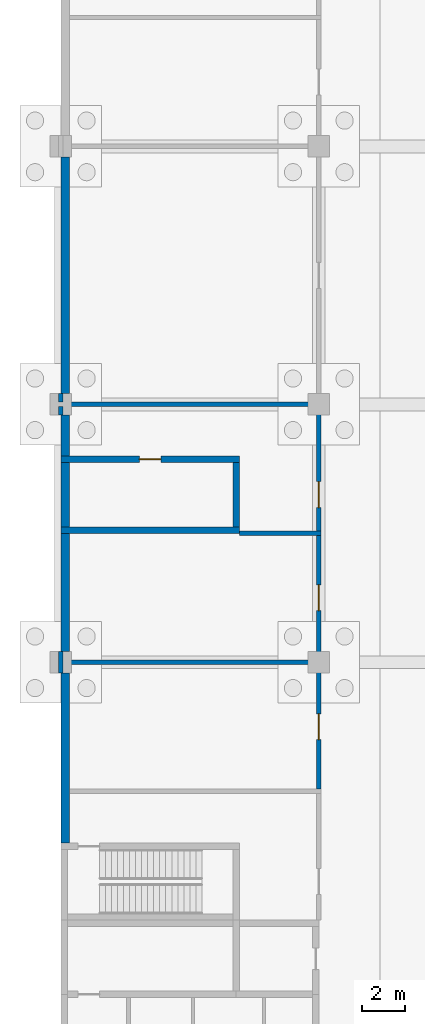
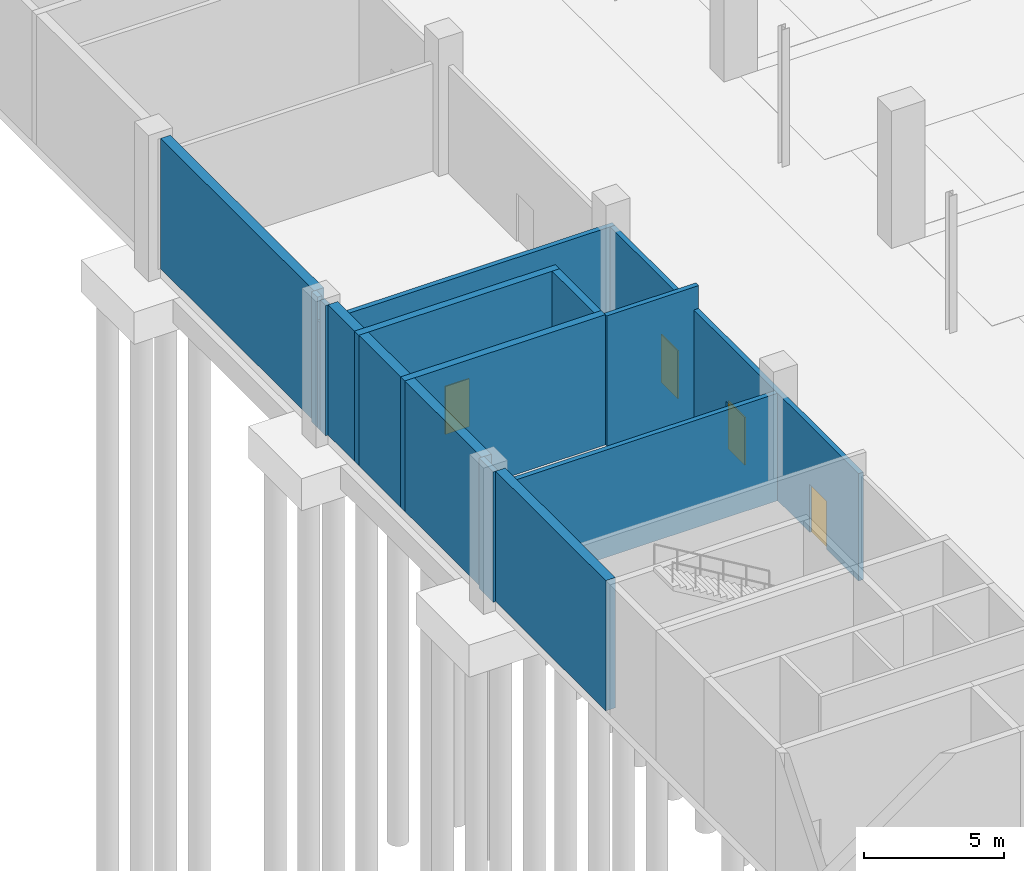
# One storey, part 20 of 34: 16 walls, 4 doors, 4 openings.
"""IFC4 building model written with IfcOpenShell, lengths in metres."""

import ifcopenshell
import ifcopenshell.guid

model = None  # the IFC model being written
_history = None  # IfcOwnerHistory: only IFC2X3 demands one
_inside = {}  # id of a spatial element -> (the spatial element, [elements in it])
_under = {}  # id of a project, library or spatial element -> (it, [spatial elements below it])
_declared = {}  # id of a project -> (the project, [libraries it declares])
_typed = {}  # id of a type object -> (the type object, [elements of that type])
_made_of = {}  # id of a material, layer set ... -> (it, [elements and type objects made of it])


def new_model(schema):
    """Start an empty IFC model of exactly this schema.

    Asked for "IFC4X3", IfcOpenShell would pick the latest addendum, in which some entities
    have other attributes; the version numbers below select the first issue.
    IFC2X3 requires an IfcOwnerHistory on every rooted entity: one is made here for all.
    """
    global model, _history
    if schema == "IFC4X3":
        model = ifcopenshell.file(schema_version=(4, 3, 0, 0))
    else:
        model = ifcopenshell.file(schema=schema)
    _inside.clear()
    _under.clear()
    _declared.clear()
    _typed.clear()
    _made_of.clear()
    _history = None
    if model.schema == "IFC2X3":
        org = make("IfcOrganization", Name="unknown")
        user = make(
            "IfcPersonAndOrganization",
            ThePerson=make("IfcPerson", FamilyName="unknown"),
            TheOrganization=org,
        )
        app = make(
            "IfcApplication",
            ApplicationDeveloper=org,
            Version="unknown",
            ApplicationFullName="unknown",
            ApplicationIdentifier="unknown",
        )
        _history = make(
            "IfcOwnerHistory",
            OwningUser=user,
            OwningApplication=app,
            ChangeAction="ADDED",
            CreationDate=0,
        )
    return model


def make(cls, **values):
    """One entity of the class cls with the attributes given. An attribute that is None is left unset."""
    return model.create_entity(
        cls, **{name: value for name, value in values.items() if value is not None}
    )


def rooted(cls, **values):
    """An entity with a GlobalId (a new one), such as an element, a storey or a relation."""
    return make(cls, GlobalId=ifcopenshell.guid.new(), OwnerHistory=_history, **values)


def si_unit(unit_type, name, prefix=None):
    """IfcSIUnit, for example si_unit("LENGTHUNIT", "METRE", prefix="MILLI")."""
    return make("IfcSIUnit", UnitType=unit_type, Prefix=prefix, Name=name)


def assignment(units):
    """IfcUnitAssignment: the units of a project."""
    return None if units is None else make("IfcUnitAssignment", Units=units)


def point(xyz):
    """IfcCartesianPoint."""
    return None if xyz is None else make("IfcCartesianPoint", Coordinates=xyz)


def direction(xyz):
    """IfcDirection."""
    return None if xyz is None else make("IfcDirection", DirectionRatios=xyz)


def frame(location, z_axis=None, x_axis=None):
    """IfcAxis2Placement3D, a coordinate frame: its origin and axes. An axis left out is left unset."""
    return make(
        "IfcAxis2Placement3D",
        Location=point(location),
        Axis=direction(z_axis),
        RefDirection=direction(x_axis),
    )


def frame_2d(location, x_axis=None):
    """IfcAxis2Placement2D, a coordinate frame in the plane: its origin and x axis."""
    return make(
        "IfcAxis2Placement2D", Location=point(location), RefDirection=direction(x_axis)
    )


def origin():
    """The frame at (0, 0, 0) with its axes left unset."""
    return frame((0.0, 0.0, 0.0))


def place(relative_to, where):
    """IfcLocalPlacement: puts the frame where relative to a parent placement (None: the world)."""
    return make(
        "IfcLocalPlacement", PlacementRelTo=relative_to, RelativePlacement=where
    )


def context(
    kind, dimensions, precision=None, world=None, true_north=None, identifier=None
):
    """IfcGeometricRepresentationContext, for example the 3D "Model" context."""
    return make(
        "IfcGeometricRepresentationContext",
        ContextIdentifier=identifier,
        ContextType=kind,
        CoordinateSpaceDimension=dimensions,
        Precision=precision,
        WorldCoordinateSystem=world,
        TrueNorth=true_north,
    )


def subcontext(parent, identifier, kind, view, scale=None):
    """IfcGeometricRepresentationSubContext, for example "Body" below "Model"."""
    return make(
        "IfcGeometricRepresentationSubContext",
        ContextIdentifier=identifier,
        ContextType=kind,
        ParentContext=parent,
        TargetScale=scale,
        TargetView=view,
    )


def project(units=None, contexts=None):
    """IfcProject with its units and contexts."""
    return rooted(
        "IfcProject",
        Name="project",
        RepresentationContexts=contexts,
        UnitsInContext=assignment(units),
    )


def spatial(cls, under=None, at=None, **own):
    """A site, building, storey or space (cls), placed at a placement, below another one or the project."""
    s = rooted(cls, ObjectPlacement=at, **own)
    if under is not None:
        _under.setdefault(under.id(), (under, []))[1].append(s)
    return s


def profile(cls, at=None, kind="AREA", **sizes):
    """A parametric profile (cls). Its sizes go by their IFC names, for example OverallWidth=200.0."""
    return make(cls, ProfileType=kind, Position=at, **sizes)


def rectangle(**sizes):
    """IfcRectangleProfileDef."""
    return profile("IfcRectangleProfileDef", **sizes)


def extrude(swept, where, along, depth):
    """IfcExtrudedAreaSolid: the profile swept, set in the frame where, extruded along a direction by depth."""
    return make(
        "IfcExtrudedAreaSolid",
        SweptArea=swept,
        Position=where,
        ExtrudedDirection=direction(along),
        Depth=depth,
    )


def shape(context_of_items, identifier, shape_type, items):
    """IfcShapeRepresentation: the items that make up one representation, for example the "Body"."""
    return make(
        "IfcShapeRepresentation",
        ContextOfItems=context_of_items,
        RepresentationIdentifier=identifier,
        RepresentationType=shape_type,
        Items=items,
    )


def material(Name=None, Category=None):
    """IfcMaterial."""
    return make("IfcMaterial", Name=Name, Category=Category)


def layer(
    of_material, thickness, ventilated=None, Name=None, Category=None, Priority=None
):
    """IfcMaterialLayer: one layer of a wall or slab, of a material (None: an air gap)."""
    return make(
        "IfcMaterialLayer",
        Material=of_material,
        LayerThickness=thickness,
        IsVentilated=ventilated,
        Name=Name,
        Category=Category,
        Priority=Priority,
    )


def layer_set(layers, Name=None):
    """IfcMaterialLayerSet."""
    return make("IfcMaterialLayerSet", MaterialLayers=layers, LayerSetName=Name)


def made_of(thing, what):
    """Note that an element or type object is made of a material, layer set ...; save() writes the relation."""
    if what is not None:
        _made_of.setdefault(what.id(), (what, []))[1].append(thing)
    return thing


def type_object(cls, material=None, **own):
    """A type object (cls), such as IfcWallType, which elements share."""
    return made_of(rooted(cls, **own), material)


def element(
    cls,
    number,
    at=None,
    inside=None,
    cuts=None,
    type_object=None,
    material=None,
    context=None,
    identifier="Body",
    shape_type=None,
    held_by="IfcProductDefinitionShape",
    body=None,
    shapes=None,
    **own,
):
    """One element of the class cls, such as IfcWall. Its Tag is "e" and its number.

    at: its placement. inside: the storey or other place that contains it. cuts: it is an
    opening in that element (IfcRelVoidsElement). A single representation is given by context,
    identifier, shape_type and body (its items); several are given by shapes. held_by: the class
    of the entity that holds the representations. save() writes the other relations.
    """
    e = rooted(cls, Tag="e%d" % number, ObjectPlacement=at, **own)
    if body is not None:
        shapes = [shape(context, identifier, shape_type, body)]
    if shapes is not None:
        e.Representation = make(held_by, Representations=shapes)
    if inside is not None:
        _inside.setdefault(inside.id(), (inside, []))[1].append(e)
    if cuts is not None:
        rooted(
            "IfcRelVoidsElement", RelatingBuildingElement=cuts, RelatedOpeningElement=e
        )
    if type_object is not None:
        _typed.setdefault(type_object.id(), (type_object, []))[1].append(e)
    return made_of(e, material)


def fill(opening, filler):
    """IfcRelFillsElement: the door or window that sits in an opening."""
    return rooted(
        "IfcRelFillsElement",
        RelatingOpeningElement=opening,
        RelatedBuildingElement=filler,
    )


def aggregate(whole, parts):
    """IfcRelAggregates: a whole, such as a stair, and the parts it consists of."""
    return rooted("IfcRelAggregates", RelatingObject=whole, RelatedObjects=parts)


def save(model, path):
    """Write the relations noted so far, then the file.

    IfcRelAggregates (storeys below a building ...), IfcRelContainedInSpatialStructure (elements
    in a storey), IfcRelDefinesByType, IfcRelAssociatesMaterial and IfcRelDeclares: one each for
    every whole, place, type object, material and project.
    """
    for whole, parts in _under.values():
        aggregate(whole, parts)
    for where, things in _inside.values():
        rooted(
            "IfcRelContainedInSpatialStructure",
            RelatedElements=things,
            RelatingStructure=where,
        )
    for kind, things in _typed.values():
        rooted("IfcRelDefinesByType", RelatedObjects=things, RelatingType=kind)
    for what, things in _made_of.values():
        rooted("IfcRelAssociatesMaterial", RelatedObjects=things, RelatingMaterial=what)
    for by, libraries in _declared.values():
        rooted("IfcRelDeclares", RelatingContext=by, RelatedDefinitions=libraries)
    model.write(path)


model = new_model("IFC4")

# Units and contexts
model_context = context("Model", 3, precision=1e-05, world=origin(), true_north=direction((0.0, 1.0)))
body_context = subcontext(model_context, "Body", "Model", "MODEL_VIEW")
ifc_project = project(units=[si_unit("LENGTHUNIT", "METRE"), si_unit("AREAUNIT", "SQUARE_METRE"), si_unit("VOLUMEUNIT", "CUBIC_METRE"), si_unit("PLANEANGLEUNIT", "RADIAN"), si_unit("MASSUNIT", "GRAM", prefix="KILO")], contexts=[model_context])

# Site, building, storey
site_placement = place(None, origin())
site = spatial("IfcSite", under=ifc_project, at=site_placement, CompositionType="ELEMENT")
building_placement = place(site_placement, origin())
building = spatial("IfcBuilding", under=site, at=building_placement, Name="Lilac Gate Convention Centre", CompositionType="ELEMENT")
storey_placement = place(building_placement, frame((0.0, 0.0, -6.0)))
storey = spatial("IfcBuildingStorey", under=building, at=storey_placement, Name="B1", CompositionType="ELEMENT", Elevation=-6.0)

# Walls
ifc_material_1 = material(Name="Concrete C35", Category="concrete")
ifc_layer_1 = layer(ifc_material_1, 0.39990234375)
ifc_layer_set_1 = layer_set([ifc_layer_1], Name="Concrete C35")
wall_type_1 = type_object("IfcWallType", Name="Basement wall 400 C35", PredefinedType="SOLIDWALL", material=ifc_layer_set_1)
wall_1_placement = place(storey_placement, frame((6.199951171875, 165.60009765625, 0.0), z_axis=(0.0, 0.0, 1.0), x_axis=(0.0, 1.0, 0.0)))
element("IfcWall", 1, at=wall_1_placement, inside=storey, type_object=wall_type_1, Name="SW2 basement wall 12 at 1/A", PredefinedType="SOLIDWALL", context=body_context, shape_type="SweptSolid", body=[
    extrude(rectangle(XDim=7.89990234375, YDim=0.39990234375, at=frame_2d((3.949951171875, 0.0))), origin(), (0.0, 0.0, 1.0), 5.699951171875),
])
wall_2_placement = place(storey_placement, frame((6.199951171875, 174.5, 0.0), z_axis=(0.0, 0.0, 1.0), x_axis=(0.0, 1.0, 0.0)))
element("IfcWall", 2, at=wall_2_placement, inside=storey, type_object=wall_type_1, Name="SW2 basement wall 13 at 1/A", PredefinedType="SOLIDWALL", context=body_context, shape_type="SweptSolid", body=[
    extrude(rectangle(XDim=5.5, YDim=0.39990234375, at=frame_2d((2.75, 0.0))), origin(), (0.0, 0.0, 1.0), 5.699951171875),
])
wall_3_placement = place(storey_placement, frame((6.199951171875, 180.300048828125, 0.0), z_axis=(0.0, 0.0, 1.0), x_axis=(0.0, 1.0, 0.0)))
element("IfcWall", 3, at=wall_3_placement, inside=storey, type_object=wall_type_1, Name="SW2 basement wall 14 at 1/A", PredefinedType="SOLIDWALL", context=body_context, shape_type="SweptSolid", body=[
    extrude(rectangle(XDim=3.0, YDim=0.39990234375, at=frame_2d((1.5, 0.0))), origin(), (0.0, 0.0, 1.0), 5.699951171875),
])
wall_4_placement = place(storey_placement, frame((6.199951171875, 183.60009765625, 0.0), z_axis=(0.0, 0.0, 1.0), x_axis=(0.0, 1.0, 0.0)))
element("IfcWall", 4, at=wall_4_placement, inside=storey, type_object=wall_type_1, Name="SW2 basement wall 15 at 1/A", PredefinedType="SOLIDWALL", context=body_context, shape_type="SweptSolid", body=[
    extrude(rectangle(XDim=1.89990234375, YDim=0.39990234375, at=frame_2d((0.949951171875, 0.0))), origin(), (0.0, 0.0, 1.0), 5.699951171875),
])
wall_5_placement = place(storey_placement, frame((6.199951171875, 186.5, 0.0), z_axis=(0.0, 0.0, 1.0), x_axis=(0.0, 1.0, 0.0)))
element("IfcWall", 5, at=wall_5_placement, inside=storey, type_object=wall_type_1, Name="SW2 basement wall 16 at 1/A", PredefinedType="SOLIDWALL", context=body_context, shape_type="SweptSolid", body=[
    extrude(rectangle(XDim=11.0, YDim=0.39990234375, at=frame_2d((5.5, 0.0))), origin(), (0.0, 0.0, 1.0), 5.699951171875),
])
ifc_material_2 = material(Name="Clay brick masonry", Category="masonry")
ifc_layer_2 = layer(ifc_material_2, 0.199951171875)
ifc_layer_set_2 = layer_set([ifc_layer_2], Name="Clay brick masonry")
wall_type_2 = type_object("IfcWallType", Name="Partition 200 brick EI 120", PredefinedType="PARTITIONING", material=ifc_layer_set_2)
wall_6_placement = place(storey_placement, frame((6.10009765625, 174.0, 0.0), z_axis=(0.0, 0.0, 1.0), x_axis=(1.0, 0.0, 0.0)))
element("IfcWall", 6, at=wall_6_placement, inside=storey, type_object=wall_type_2, Name="Partition 200 brick EI 120", PredefinedType="PARTITIONING", context=body_context, shape_type="SweptSolid", body=[
    extrude(rectangle(XDim=11.7998046875, YDim=0.199951171875, at=frame_2d((5.89990234375, 0.0))), origin(), (0.0, 0.0, 1.0), 4.699951171875),
])
wall_7_placement = place(storey_placement, frame((14.300048828125, 180.0, 0.0), z_axis=(0.0, 0.0, 1.0), x_axis=(1.0, 0.0, 0.0)))
element("IfcWall", 7, at=wall_7_placement, inside=storey, type_object=wall_type_2, Name="Partition 200 brick EI 120", PredefinedType="PARTITIONING", context=body_context, shape_type="SweptSolid", body=[
    extrude(rectangle(XDim=3.800048828125, YDim=0.199951171875, at=frame_2d((1.89990234375, 0.0))), origin(), (0.0, 0.0, 1.0), 5.699951171875),
])
wall_8_placement = place(storey_placement, frame((5.89990234375, 186.0, 0.0), z_axis=(0.0, 0.0, 1.0), x_axis=(1.0, 0.0, 0.0)))
element("IfcWall", 8, at=wall_8_placement, inside=storey, type_object=wall_type_2, Name="Partition 200 brick EI 120", PredefinedType="PARTITIONING", context=body_context, shape_type="SweptSolid", body=[
    extrude(rectangle(XDim=12.2001953125, YDim=0.199951171875, at=frame_2d((6.10009765625, 0.0))), origin(), (0.0, 0.0, 1.0), 4.699951171875),
])
wall_9_placement = place(storey_placement, frame((6.0, 173.5, 0.0), z_axis=(0.0, 0.0, 1.0), x_axis=(0.0, 1.0, 0.0)))
element("IfcWall", 9, at=wall_9_placement, inside=storey, type_object=wall_type_2, Name="Partition 200 brick EI 120", PredefinedType="PARTITIONING", context=body_context, shape_type="SweptSolid", body=[
    extrude(rectangle(XDim=1.0, YDim=0.199951171875, at=frame_2d((0.5, 0.0))), origin(), (0.0, 0.0, 1.0), 5.699951171875),
])
wall_10_placement = place(storey_placement, frame((6.0, 186.10009765625, 0.0), z_axis=(0.0, 0.0, 1.0), x_axis=(0.0, 1.0, 0.0)))
element("IfcWall", 10, at=wall_10_placement, inside=storey, type_object=wall_type_2, Name="Partition 200 brick EI 120", PredefinedType="PARTITIONING", context=body_context, shape_type="SweptSolid", body=[
    extrude(rectangle(XDim=0.39990234375, YDim=0.199951171875, at=frame_2d((0.199951171875, 0.0))), origin(), (0.0, 0.0, 1.0), 5.699951171875),
])

# Wall, openings, doors
wall_11_placement = place(storey_placement, frame((18.0, 168.10009765625, 0.0), z_axis=(0.0, 0.0, 1.0), x_axis=(0.0, 1.0, 0.0)))
wall_11 = element("IfcWall", 11, at=wall_11_placement, inside=storey, type_object=wall_type_2, Name="Partition 200 brick EI 120", PredefinedType="PARTITIONING", context=body_context, shape_type="SweptSolid", body=[
    extrude(rectangle(XDim=11.7998046875, YDim=0.199951171875, at=frame_2d((5.89990234375, 0.0))), origin(), (0.0, 0.0, 1.0), 4.699951171875),
])
opening_1_placement = place(wall_11_placement, frame((2.300048828125, 0.0, 0.0)))
opening_1 = element("IfcOpeningElement", 12, at=opening_1_placement, cuts=wall_11, Name="Opening B1-059", PredefinedType="OPENING", context=body_context, shape_type="SweptSolid", body=[
    extrude(rectangle(XDim=1.199951171875, YDim=2.10009765625, at=frame_2d((0.60009765625, 1.050048828125))), frame((0.0, 0.10986328125, 0.0), z_axis=(0.0, -1.0, 0.0), x_axis=(1.0, 0.0, 0.0)), (0.0, 0.0, 1.0), 0.219970703125),
])
opening_2_placement = place(wall_11_placement, frame((8.300048828125, 0.0, 0.0)))
opening_2 = element("IfcOpeningElement", 13, at=opening_2_placement, cuts=wall_11, Name="Opening B1-060", PredefinedType="OPENING", context=body_context, shape_type="SweptSolid", body=[
    extrude(rectangle(XDim=1.199951171875, YDim=2.10009765625, at=frame_2d((0.60009765625, 1.050048828125))), frame((0.0, 0.10986328125, 0.0), z_axis=(0.0, -1.0, 0.0), x_axis=(1.0, 0.0, 0.0)), (0.0, 0.0, 1.0), 0.219970703125),
])
ifc_material_3 = material(Name="Timber fire door leaf", Category="wood")
door_type_1 = type_object("IfcDoorType", Name="Door 1200 x 2100 single leaf FD30", OperationType="SINGLE_SWING_LEFT", PredefinedType="DOOR", material=ifc_material_3)
door_1_placement = place(opening_2_placement, origin())
door_1 = element("IfcDoor", 14, at=door_1_placement, inside=storey, type_object=door_type_1, Name="Plant room door B1-060", OperationType="SINGLE_SWING_LEFT", OverallHeight=2.10009765625, OverallWidth=1.199951171875, PredefinedType="DOOR", context=body_context, shape_type="SweptSolid", body=[
    extrude(rectangle(XDim=1.199951171875, YDim=2.10009765625, at=frame_2d((0.60009765625, 1.050048828125))), frame((0.0, 0.02490234375, 0.0), z_axis=(0.0, -1.0, 0.0), x_axis=(1.0, 0.0, 0.0)), (0.0, 0.0, 1.0), 0.050048828125),
])
fill(opening_2, door_1)
ifc_material_4 = material(Name="Steel Q235B", Category="steel")
door_type_2 = type_object("IfcDoorType", Name="Door 1200 x 2100 single leaf FD90", OperationType="SINGLE_SWING_LEFT", PredefinedType="DOOR", material=ifc_material_4)
door_2_placement = place(opening_1_placement, origin())
door_2 = element("IfcDoor", 15, at=door_2_placement, inside=storey, type_object=door_type_2, Name="Plant room door B1-059", OperationType="SINGLE_SWING_LEFT", OverallHeight=2.10009765625, OverallWidth=1.199951171875, PredefinedType="DOOR", context=body_context, shape_type="SweptSolid", body=[
    extrude(rectangle(XDim=1.199951171875, YDim=2.10009765625, at=frame_2d((0.60009765625, 1.050048828125))), frame((0.0, 0.02490234375, 0.0), z_axis=(0.0, -1.0, 0.0), x_axis=(1.0, 0.0, 0.0)), (0.0, 0.0, 1.0), 0.050048828125),
])
fill(opening_1, door_2)

# Wall
ifc_layer_3 = layer(ifc_material_2, 0.199951171875)
ifc_layer_set_3 = layer_set([ifc_layer_3], Name="Clay brick masonry")
wall_type_3 = type_object("IfcWallType", Name="Partition 200 brick EI 60", PredefinedType="PARTITIONING", material=ifc_layer_set_3)
wall_12_placement = place(storey_placement, frame((6.0, 185.5, 0.0), z_axis=(0.0, 0.0, 1.0), x_axis=(0.0, 1.0, 0.0)))
element("IfcWall", 16, at=wall_12_placement, inside=storey, type_object=wall_type_3, Name="Partition 200 brick EI 60", PredefinedType="PARTITIONING", context=body_context, shape_type="SweptSolid", body=[
    extrude(rectangle(XDim=0.39990234375, YDim=0.199951171875, at=frame_2d((0.199951171875, 0.0))), origin(), (0.0, 0.0, 1.0), 5.699951171875),
])

# Wall, opening, door
wall_13_placement = place(storey_placement, frame((18.0, 180.10009765625, 0.0), z_axis=(0.0, 0.0, 1.0), x_axis=(0.0, 1.0, 0.0)))
wall_13 = element("IfcWall", 17, at=wall_13_placement, inside=storey, type_object=wall_type_3, Name="Partition 200 brick EI 60", PredefinedType="PARTITIONING", context=body_context, shape_type="SweptSolid", body=[
    extrude(rectangle(XDim=5.7998046875, YDim=0.199951171875, at=frame_2d((2.89990234375, 0.0))), origin(), (0.0, 0.0, 1.0), 4.699951171875),
])
opening_3_placement = place(wall_13_placement, frame((1.10009765625, 0.0, 0.0)))
opening_3 = element("IfcOpeningElement", 18, at=opening_3_placement, cuts=wall_13, Name="Opening B1-062", PredefinedType="OPENING", context=body_context, shape_type="SweptSolid", body=[
    extrude(rectangle(XDim=1.199951171875, YDim=2.10009765625, at=frame_2d((0.60009765625, 1.050048828125))), frame((0.0, 0.10986328125, 0.0), z_axis=(0.0, -1.0, 0.0), x_axis=(1.0, 0.0, 0.0)), (0.0, 0.0, 1.0), 0.219970703125),
])
door_3_placement = place(opening_3_placement, origin())
door_3 = element("IfcDoor", 19, at=door_3_placement, inside=storey, type_object=door_type_2, Name="Lobby door B1-062", OperationType="SINGLE_SWING_RIGHT", OverallHeight=2.10009765625, OverallWidth=1.199951171875, PredefinedType="DOOR", context=body_context, shape_type="SweptSolid", body=[
    extrude(rectangle(XDim=1.199951171875, YDim=2.10009765625, at=frame_2d((0.60009765625, 1.050048828125))), frame((0.0, 0.02490234375, 0.0), z_axis=(0.0, -1.0, 0.0), x_axis=(1.0, 0.0, 0.0)), (0.0, 0.0, 1.0), 0.050048828125),
])
fill(opening_3, door_3)

# Wall
ifc_material_5 = material(Name="Concrete C40", Category="concrete")
ifc_layer_4 = layer(ifc_material_5, 0.300048828125)
ifc_layer_set_4 = layer_set([ifc_layer_4], Name="Concrete C40")
wall_type_4 = type_object("IfcWallType", Name="Shear wall 300 C40", PredefinedType="SHEAR", material=ifc_layer_set_4)
wall_14_placement = place(storey_placement, frame((6.0, 180.14990234375, 0.0), z_axis=(0.0, 0.0, 1.0), x_axis=(1.0, 0.0, 0.0)))
element("IfcWall", 20, at=wall_14_placement, inside=storey, type_object=wall_type_4, Name="SW1 shear wall UW2 B1 1", PredefinedType="SHEAR", context=body_context, shape_type="SweptSolid", body=[
    extrude(rectangle(XDim=8.300048828125, YDim=0.300048828125, at=frame_2d((4.14990234375, 0.0))), origin(), (0.0, 0.0, 1.0), 5.699951171875),
])

# Wall, opening, door
wall_15_placement = place(storey_placement, frame((6.0, 183.449951171875, 0.0), z_axis=(0.0, 0.0, 1.0), x_axis=(1.0, 0.0, 0.0)))
wall_15 = element("IfcWall", 21, at=wall_15_placement, inside=storey, type_object=wall_type_4, Name="SW1 shear wall UW2 B1 2", PredefinedType="SHEAR", context=body_context, shape_type="SweptSolid", body=[
    extrude(rectangle(XDim=8.300048828125, YDim=0.300048828125, at=frame_2d((4.14990234375, 0.0))), origin(), (0.0, 0.0, 1.0), 5.699951171875),
])
opening_4_placement = place(wall_15_placement, frame((3.64990234375, 0.0, 0.0)))
opening_4 = element("IfcOpeningElement", 22, at=opening_4_placement, cuts=wall_15, Name="Opening B1-063", PredefinedType="OPENING", context=body_context, shape_type="SweptSolid", body=[
    extrude(rectangle(XDim=1.0, YDim=2.10009765625, at=frame_2d((0.5, 1.050048828125))), frame((0.0, 0.159912109375, 0.0), z_axis=(0.0, -1.0, 0.0), x_axis=(1.0, 0.0, 0.0)), (0.0, 0.0, 1.0), 0.320068359375),
])
door_type_3 = type_object("IfcDoorType", Name="Door 1000 x 2100 single leaf FD90", OperationType="SINGLE_SWING_LEFT", PredefinedType="DOOR", material=ifc_material_4)
door_4_placement = place(opening_4_placement, frame((1.0, 0.0, 0.0), z_axis=(0.0, 0.0, 1.0), x_axis=(-1.0, 0.0, 0.0)))
door_4 = element("IfcDoor", 23, at=door_4_placement, inside=storey, type_object=door_type_3, Name="Store door B1-063", OperationType="SINGLE_SWING_RIGHT", OverallHeight=2.10009765625, OverallWidth=1.0, PredefinedType="DOOR", context=body_context, shape_type="SweptSolid", body=[
    extrude(rectangle(XDim=1.0, YDim=2.10009765625, at=frame_2d((0.5, 1.050048828125))), frame((0.0, 0.02490234375, 0.0), z_axis=(0.0, -1.0, 0.0), x_axis=(1.0, 0.0, 0.0)), (0.0, 0.0, 1.0), 0.050048828125),
])
fill(opening_4, door_4)

# Wall
wall_16_placement = place(storey_placement, frame((14.14990234375, 180.300048828125, 0.0), z_axis=(0.0, 0.0, 1.0), x_axis=(0.0, 1.0, 0.0)))
element("IfcWall", 24, at=wall_16_placement, inside=storey, type_object=wall_type_4, Name="SW1 shear wall UW2 B1 3", PredefinedType="SHEAR", context=body_context, shape_type="SweptSolid", body=[
    extrude(rectangle(XDim=3.0, YDim=0.300048828125, at=frame_2d((1.5, 0.0))), origin(), (0.0, 0.0, 1.0), 5.699951171875),
])

save(model, "model.ifc")
